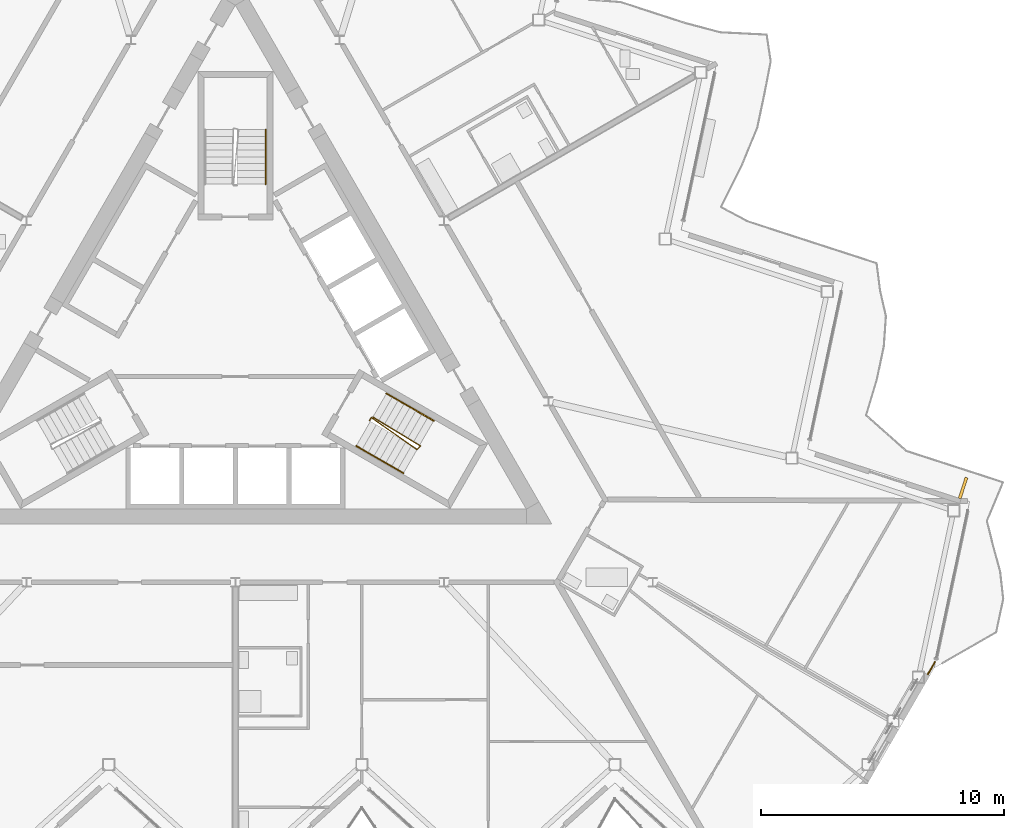
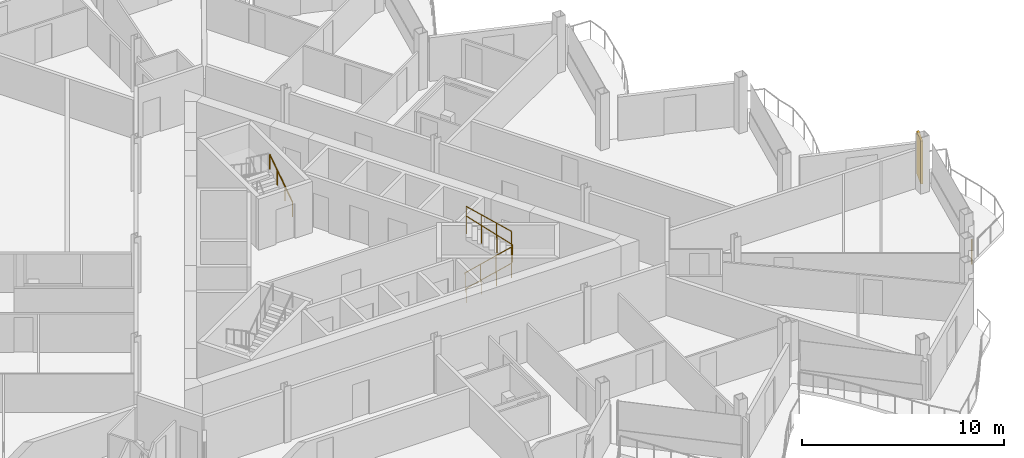
# One storey, part 22 of 26: 5 railings, 1 shading device.
"""IFC4 building model written with IfcOpenShell, lengths in metres."""

from ifc_helpers import new_model, si_unit, direction, frame, origin, origin_2d, place, context, subcontext, project, spatial, rectangle, circle, extrude, material, layer, layer_set, type_object, element, save


model = new_model("IFC4")

# Units and contexts
model_context = context("Model", 3, precision=1e-05, world=origin(), true_north=direction((0.0, 1.0)))
body_context = subcontext(model_context, "Body", "Model", "MODEL_VIEW")
ifc_project = project(units=[si_unit("LENGTHUNIT", "METRE"), si_unit("AREAUNIT", "SQUARE_METRE"), si_unit("VOLUMEUNIT", "CUBIC_METRE"), si_unit("PLANEANGLEUNIT", "RADIAN"), si_unit("MASSUNIT", "GRAM", prefix="KILO")], contexts=[model_context])

# Site, building, storey
site_placement = place(None, origin())
site = spatial("IfcSite", under=ifc_project, at=site_placement, CompositionType="ELEMENT")
building_placement = place(site_placement, origin())
building = spatial("IfcBuilding", under=site, at=building_placement, Name="Cormorant Prow Tower", CompositionType="ELEMENT")
storey_placement = place(building_placement, frame((0.0, 0.0, 364.39990234375)))
storey = spatial("IfcBuildingStorey", under=building, at=storey_placement, Name="L81", CompositionType="ELEMENT", Elevation=364.39990234375)

# Railings
ifc_material_1 = material(Name="Stainless steel", Category="steel")
railing_type_1 = type_object("IfcRailingType", Name="Facade corner guard 1100", PredefinedType="GUARDRAIL", material=ifc_material_1)
railing_1_placement = place(storey_placement, frame((28.7548828125, -13.18505859375, 0.0)))
element("IfcRailing", 1, at=railing_1_placement, inside=storey, type_object=railing_type_1, Name="Facade corner guard L81 1", PredefinedType="GUARDRAIL", context=body_context, shape_type="SweptSolid", body=[
    extrude(circle(Radius=0.02392578125, at=origin_2d()), frame((0.0, 0.0, 1.076171875), z_axis=(-0.495685716803, -0.868501969, 0.0), x_axis=(0.868501969, -0.495685716803, 0.0)), (0.0, 0.0, 1.0), 0.580322265625),
    extrude(circle(Radius=0.02099609375, at=origin_2d()), origin(), (0.0, 0.0, 1.0), 1.052001953125),
    extrude(circle(Radius=0.02099609375, at=origin_2d()), frame((-0.28759765625, -0.50390625, 0.0)), (0.0, 0.0, 1.0), 1.052001953125),
])
ifc_material_2 = material(Name="Stainless steel", Category="steel")
railing_type_2 = type_object("IfcRailingType", Name="Stair guard 1100", PredefinedType="GUARDRAIL", material=ifc_material_2)
railing_2_placement = place(storey_placement, frame((5.510009765625, -3.267822265625, 0.0)))
element("IfcRailing", 2, at=railing_2_placement, inside=storey, type_object=railing_type_2, Name="L81 ST2 stair guard 1", PredefinedType="GUARDRAIL", context=body_context, shape_type="SweptSolid", body=[
    extrude(circle(Radius=0.02392578125, at=origin_2d()), frame((0.0, 0.0, 1.076171875), z_axis=(0.501036270542, 0.865426285481, 0.0), x_axis=(-0.865426285481, 0.501036270542, 0.0)), (0.0, 0.0, 1.0), 0.150146484375),
    extrude(circle(Radius=0.02392578125, at=origin_2d()), frame((0.0751953125, 0.1298828125, 1.076171875), z_axis=(0.658637147058, -0.461037463629, 0.594677698965), x_axis=(0.573455215813, 0.819236910458, 0.0)), (0.0, 0.0, 1.0), 2.859130859375),
    extrude(circle(Radius=0.02392578125, at=origin_2d()), frame((1.958251953125, -1.188232421875, 2.7763671875), z_axis=(0.695164929852, 0.718850276695, 0.0), x_axis=(-0.718850276695, 0.695164929852, 0.0)), (0.0, 0.0, 1.0), 0.2060546875),
    extrude(circle(Radius=0.02392578125, at=origin_2d()), frame((2.1015625, -1.0400390625, 2.7763671875), z_axis=(-0.686515364547, 0.416565300991, 0.595961411712), x_axis=(-0.518752825935, -0.854924268918, 0.0)), (0.0, 0.0, 1.0), 2.8525390625),
    extrude(circle(Radius=0.02099609375, at=origin_2d()), origin(), (0.0, 0.0, 1.0), 1.052001953125),
    extrude(circle(Radius=0.02099609375, at=origin_2d()), frame((0.0751953125, 0.1298828125, 0.0)), (0.0, 0.0, 1.0), 1.052001953125),
    extrude(circle(Radius=0.02099609375, at=origin_2d()), frame((0.702880859375, -0.3095703125, 0.566650390625)), (0.0, 0.0, 1.0), 1.052001953125),
    extrude(circle(Radius=0.02099609375, at=origin_2d()), frame((1.33056640625, -0.748779296875, 1.133544921875)), (0.0, 0.0, 1.0), 1.052001953125),
    extrude(circle(Radius=0.02099609375, at=origin_2d()), frame((1.958251953125, -1.188232421875, 1.7001953125)), (0.0, 0.0, 1.0), 1.052001953125),
    extrude(circle(Radius=0.02099609375, at=origin_2d()), frame((2.1015625, -1.0400390625, 1.7001953125)), (0.0, 0.0, 1.0), 1.052001953125),
    extrude(circle(Radius=0.02099609375, at=origin_2d()), frame((1.44873046875, -0.64404296875, 2.266845703125)), (0.0, 0.0, 1.0), 1.052001953125),
    extrude(circle(Radius=0.02099609375, at=origin_2d()), frame((0.796142578125, -0.247802734375, 2.83349609375)), (0.0, 0.0, 1.0), 1.052001953125),
    extrude(circle(Radius=0.02099609375, at=origin_2d()), frame((0.143310546875, 0.148193359375, 3.400146484375)), (0.0, 0.0, 1.0), 1.052001953125),
])
ifc_material_3 = material(Name="Stainless steel", Category="steel")
railing_type_3 = type_object("IfcRailingType", Name="Stair handrail 900", PredefinedType="HANDRAIL", material=ifc_material_3)
railing_3_placement = place(storey_placement, frame((4.968994140625, -4.30517578125, 0.18896484375)))
element("IfcRailing", 3, at=railing_3_placement, inside=storey, type_object=railing_type_3, Name="L81 ST2 stair handrail 1", PredefinedType="HANDRAIL", context=body_context, shape_type="SweptSolid", body=[
    extrude(circle(Radius=0.02392578125, at=origin_2d()), frame((0.0, 0.0, 0.8759765625), z_axis=(0.717869644322, -0.414548260308, 0.559296802813), x_axis=(0.500077830873, 0.865980463445, 0.0)), (0.0, 0.0, 1.0), 2.701904296875),
    extrude(circle(Radius=0.02099609375, at=origin_2d()), origin(), (0.0, 0.0, 1.0), 0.851806640625),
    extrude(circle(Radius=0.02099609375, at=origin_2d()), frame((0.646484375, -0.373291015625, 0.503662109375)), (0.0, 0.0, 1.0), 0.851806640625),
    extrude(circle(Radius=0.02099609375, at=origin_2d()), frame((1.293212890625, -0.746826171875, 1.007568359375)), (0.0, 0.0, 1.0), 0.851806640625),
    extrude(circle(Radius=0.02099609375, at=origin_2d()), frame((1.939697265625, -1.1201171875, 1.51123046875)), (0.0, 0.0, 1.0), 0.851806640625),
])
railing_4_placement = place(storey_placement, frame((8.15283203125, -3.2705078125, 1.888916015625)))
element("IfcRailing", 4, at=railing_4_placement, inside=storey, type_object=railing_type_3, Name="L81 ST2 stair handrail 2", PredefinedType="HANDRAIL", context=body_context, shape_type="SweptSolid", body=[
    extrude(circle(Radius=0.02392578125, at=origin_2d()), frame((0.0, 0.0, 0.8759765625), z_axis=(-0.717940317343, 0.414446543626, 0.55928147047), x_axis=(-0.49994888933, -0.866054910533, 0.0)), (0.0, 0.0, 1.0), 2.7021484375),
    extrude(circle(Radius=0.02099609375, at=origin_2d()), origin(), (0.0, 0.0, 1.0), 0.851806640625),
    extrude(circle(Radius=0.02099609375, at=origin_2d()), frame((-0.646728515625, 0.373291015625, 0.503662109375)), (0.0, 0.0, 1.0), 0.851806640625),
    extrude(circle(Radius=0.02099609375, at=origin_2d()), frame((-1.293212890625, 0.74658203125, 1.007568359375)), (0.0, 0.0, 1.0), 0.851806640625),
    extrude(circle(Radius=0.02099609375, at=origin_2d()), frame((-1.93994140625, 1.119873046875, 1.51123046875)), (0.0, 0.0, 1.0), 0.851806640625),
])
railing_5_placement = place(storey_placement, frame((1.243896484375, 6.455810546875, 0.18896484375)))
element("IfcRailing", 5, at=railing_5_placement, inside=storey, type_object=railing_type_3, Name="L81 ST3 stair handrail 1", PredefinedType="HANDRAIL", context=body_context, shape_type="SweptSolid", body=[
    extrude(circle(Radius=0.02392578125, at=origin_2d()), frame((0.0, 0.0, 0.8759765625), z_axis=(0.0, 0.828979582247, 0.559278868023), x_axis=(-1.0, 0.0, 0.0)), (0.0, 0.0, 1.0), 2.7021484375),
    extrude(circle(Radius=0.02099609375, at=origin_2d()), origin(), (0.0, 0.0, 1.0), 0.851806640625),
    extrude(circle(Radius=0.02099609375, at=origin_2d()), frame((0.0, 0.74658203125, 0.503662109375)), (0.0, 0.0, 1.0), 0.851806640625),
    extrude(circle(Radius=0.02099609375, at=origin_2d()), frame((0.0, 1.493408203125, 1.007568359375)), (0.0, 0.0, 1.0), 0.851806640625),
    extrude(circle(Radius=0.02099609375, at=origin_2d()), frame((0.0, 2.239990234375, 1.51123046875)), (0.0, 0.0, 1.0), 0.851806640625),
])

# Shading device
ifc_material_4 = material(Name="Terracotta", Category="masonry")
ifc_layer = layer(ifc_material_4, 0.1201171875)
ifc_layer_set = layer_set([ifc_layer], Name="Terracotta")
shading_device_type = type_object("IfcShadingDeviceType", Name="Terracotta baguette fin 120x900x2600", PredefinedType="USERDEFINED", material=ifc_layer_set)
shading_device_placement = place(storey_placement, frame((29.913330078125, -6.033935546875, 0.0), z_axis=(0.0, 0.0, 1.0), x_axis=(-0.951056506549, 0.309017024369, 0.0)))
element("IfcShadingDevice", 6, at=shading_device_placement, inside=storey, type_object=shading_device_type, Name="Baguette fin ENE01", ObjectType="BAGUETTE", PredefinedType="USERDEFINED", context=body_context, shape_type="SweptSolid", body=[
    extrude(rectangle(XDim=0.1201171875, YDim=0.89990234375, at=origin_2d()), origin(), (0.0, 0.0, 1.0), 2.60009765625),
])

save(model, "model.ifc")
